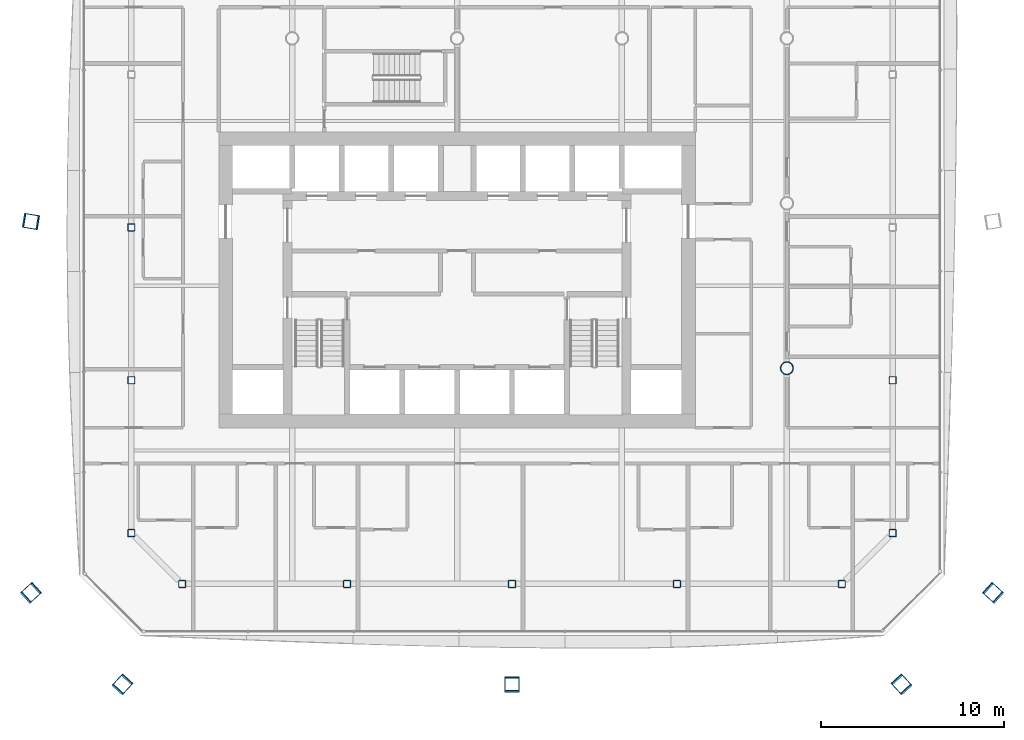
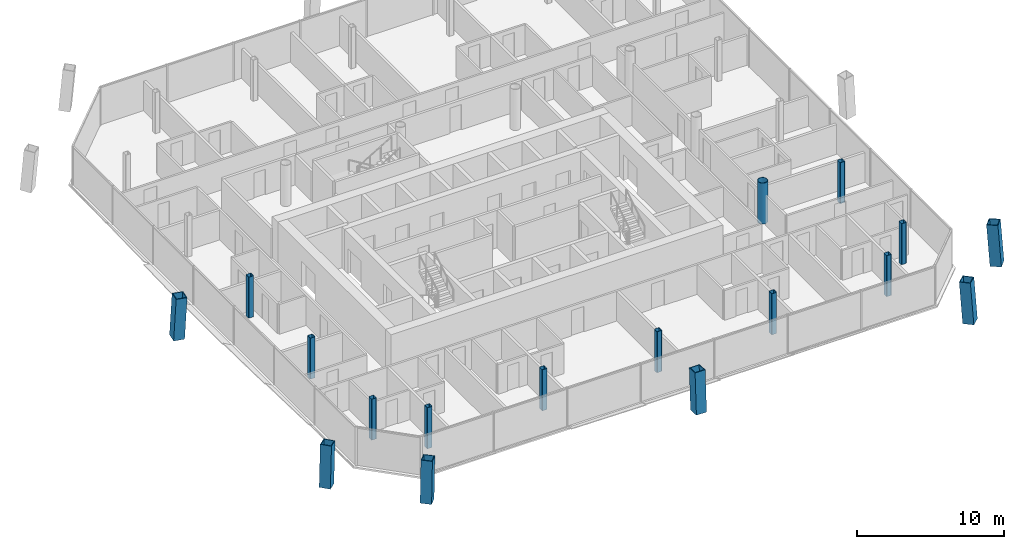
# One storey, part 1 of 22: 17 columns.
"""IFC4 building model written with IfcOpenShell, lengths in metres."""

from ifc_helpers import new_model, si_unit, direction, frame, origin, origin_2d, place, context, subcontext, project, spatial, hollow_rectangle, hollow_circle, extrude, material, material_profile, profile_set, type_object, element, save


model = new_model("IFC4")

# Units and contexts
model_context = context("Model", 3, precision=1e-05, world=origin(), true_north=direction((0.0, 1.0)))
body_context = subcontext(model_context, "Body", "Model", "MODEL_VIEW")
ifc_project = project(units=[si_unit("LENGTHUNIT", "METRE"), si_unit("AREAUNIT", "SQUARE_METRE"), si_unit("VOLUMEUNIT", "CUBIC_METRE"), si_unit("PLANEANGLEUNIT", "RADIAN"), si_unit("MASSUNIT", "GRAM", prefix="KILO")], contexts=[model_context])

# Site, building, storey
site_placement = place(None, origin())
site = spatial("IfcSite", under=ifc_project, at=site_placement, CompositionType="ELEMENT")
building_placement = place(site_placement, origin())
building = spatial("IfcBuilding", under=site, at=building_placement, Name="Tskaro Facet Tower", CompositionType="ELEMENT")
storey_placement = place(building_placement, frame((0.0, 0.0, 124.89990234375)))
storey = spatial("IfcBuildingStorey", under=building, at=storey_placement, Name="L29", CompositionType="ELEMENT", Elevation=124.89990234375)

# Columns
ifc_material_1 = material(Name="Steel S460M", Category="steel")
ifc_material_profile_1 = material_profile(ifc_material_1, hollow_rectangle(XDim=0.800048828125, YDim=0.800048828125, WallThickness=0.050048828125, at=origin_2d()), Name="BOX 800x800x50")
ifc_profile_set_1 = profile_set([ifc_material_profile_1], Name="Steel S460M")
column_type_1 = type_object("IfcColumnType", Name="BOX 800x800x50 mega column", PredefinedType="COLUMN", material=ifc_profile_set_1)
column_1_placement = place(storey_placement, frame((-18.283935546875, -26.283935546875, 0.0), z_axis=(0.048698464449, 0.053353464728, 0.997387521158), x_axis=(-0.73859280104, 0.674151818399, 0.0)))
element("IfcColumn", 1, at=column_1_placement, inside=storey, type_object=column_type_1, Name="BOX 800x800x50 MC01/3", PredefinedType="COLUMN", context=body_context, shape_type="SweptSolid", body=[
    extrude(hollow_rectangle(XDim=0.800048828125, YDim=0.800048828125, WallThickness=0.050048828125, at=origin_2d()), origin(), (0.0, 0.0, 1.0), 3.408935546875),
])
column_2_placement = place(storey_placement, frame((3.0, -26.283935546875, 0.0), z_axis=(0.0, 0.053416842427, 0.998572301311), x_axis=(-1.0, 0.0, 0.0)))
element("IfcColumn", 2, at=column_2_placement, inside=storey, type_object=column_type_1, Name="BOX 800x800x50 MC02/3", PredefinedType="COLUMN", context=body_context, shape_type="SweptSolid", body=[
    extrude(hollow_rectangle(XDim=0.800048828125, YDim=0.800048828125, WallThickness=0.050048828125, at=origin_2d()), origin(), (0.0, 0.0, 1.0), 3.405029296875),
])
for number, where, z_axis, x_axis, name in (
    (3, (24.283935546875, -26.283935546875, 0.0), (-0.048698464449, 0.053353464728, 0.997387521158), (-0.73859280104, -0.674151818399, 0.0), "BOX 800x800x50 MC03/3"),
    (4, (29.283935546875, -21.283935546875, 0.0), (-0.053353464728, 0.048698464449, 0.997387521158), (-0.674151818399, -0.73859280104, 0.0), "BOX 800x800x50 MC04/3"),
):
    element("IfcColumn", number, at=place(storey_placement, frame(where, z_axis=z_axis, x_axis=x_axis)), inside=storey, type_object=column_type_1, Name=name, PredefinedType="COLUMN", context=body_context, shape_type="SweptSolid", body=[
        extrude(hollow_rectangle(XDim=0.800048828125, YDim=0.800048828125, WallThickness=0.050048828125, at=origin_2d()), origin(), (0.0, 0.0, 1.0), 3.408935546875),
    ])
column_3_placement = place(storey_placement, frame((-23.283935546875, -0.986083984375, 0.0), z_axis=(0.053414765233, -0.008818813589, 0.998533470336), x_axis=(0.162895476227, 0.986643331617, 0.0)))
element("IfcColumn", 5, at=column_3_placement, inside=storey, type_object=column_type_1, Name="BOX 800x800x50 MC11/3", PredefinedType="COLUMN", context=body_context, shape_type="SweptSolid", body=[
    extrude(hollow_rectangle(XDim=0.800048828125, YDim=0.800048828125, WallThickness=0.050048828125, at=origin_2d()), origin(), (0.0, 0.0, 1.0), 3.405029296875),
])
column_4_placement = place(storey_placement, frame((-23.283935546875, -21.283935546875, 0.0), z_axis=(0.053353464728, 0.048698464449, 0.997387521158), x_axis=(-0.674151818399, 0.73859280104, 0.0)))
element("IfcColumn", 6, at=column_4_placement, inside=storey, type_object=column_type_1, Name="BOX 800x800x50 MC12/3", PredefinedType="COLUMN", context=body_context, shape_type="SweptSolid", body=[
    extrude(hollow_rectangle(XDim=0.800048828125, YDim=0.800048828125, WallThickness=0.050048828125, at=origin_2d()), origin(), (0.0, 0.0, 1.0), 3.408935546875),
])
ifc_material_2 = material(Name="Steel S355J2H", Category="steel")
ifc_material_profile_2 = material_profile(ifc_material_2, hollow_circle(Radius=0.35546875, WallThickness=0.031982421875, at=origin_2d()), Name="CHS 711x32")
ifc_profile_set_2 = profile_set([ifc_material_profile_2], Name="Steel S355J2H")
column_type_2 = type_object("IfcColumnType", Name="CHS 711x32 interior column", PredefinedType="COLUMN", material=ifc_profile_set_2)
column_5_placement = place(storey_placement, frame((18.0, -9.0, 0.0), z_axis=(0.0, 0.0, 1.0), x_axis=(1.0, 0.0, 0.0)))
element("IfcColumn", 7, at=column_5_placement, inside=storey, type_object=column_type_2, Name="CHS 711x32 C6C/3", PredefinedType="COLUMN", context=body_context, shape_type="SweptSolid", body=[
    extrude(hollow_circle(Radius=0.35546875, WallThickness=0.031982421875, at=origin_2d()), origin(), (0.0, 0.0, 1.0), 3.400146484375),
])
ifc_material_profile_3 = material_profile(ifc_material_2, hollow_rectangle(XDim=0.39990234375, YDim=0.39990234375, WallThickness=0.02001953125, InnerFilletRadius=0.030029296875, OuterFilletRadius=0.050048828125, at=origin_2d()), Name="SHS 400x400x20")
ifc_profile_set_3 = profile_set([ifc_material_profile_3], Name="Steel S355J2H")
column_type_3 = type_object("IfcColumnType", Name="SHS 400x400x20 ring column", PredefinedType="COLUMN", material=ifc_profile_set_3)
for number, where, z_axis, x_axis, name in (
    (8, (-14.9990234375, -20.77392578125, 0.0), (0.0, 0.0, 1.0), (1.0, 0.0, 0.0), "SHS 400x400x20 RS-1/3"),
    (9, (-6.0, -20.77392578125, 0.0), (0.0, 0.0, 1.0), (1.0, 0.0, 0.0), "SHS 400x400x20 RS-2/3"),
    (10, (3.0, -20.77392578125, 0.0), (0.0, 0.0, 1.0), (1.0, 0.0, 0.0), "SHS 400x400x20 RS-3/3"),
    (11, (12.0, -20.77392578125, 0.0), (0.0, 0.0, 1.0), (1.0, 0.0, 0.0), "SHS 400x400x20 RS-4/3"),
    (12, (20.9990234375, -20.77392578125, 0.0), (0.0, 0.0, 1.0), (1.0, 0.0, 0.0), "SHS 400x400x20 RSE-1/3"),
    (13, (23.77392578125, -17.9990234375, 0.0), (0.0, 0.0, 1.0), (1.0, 0.0, 0.0), "SHS 400x400x20 RE-1/3"),
    (14, (23.77392578125, -9.656982421875, 0.0), (0.0, 0.0, 1.0), (1.0, 0.0, 0.0), "SHS 400x400x20 RE-2/3"),
    (15, (-17.77392578125, -1.31494140625, 0.0), (0.0, 0.0, 1.0), (1.0, 0.0, 0.0), "SHS 400x400x20 RW-3/3"),
    (16, (-17.77392578125, -9.656982421875, 0.0), (0.0, 0.0, 1.0), (1.0, 0.0, 0.0), "SHS 400x400x20 RW-4/3"),
    (17, (-17.77392578125, -17.9990234375, 0.0), (0.0, 0.0, 1.0), (1.0, 0.0, 0.0), "SHS 400x400x20 RSW-1/3"),
):
    element("IfcColumn", number, at=place(storey_placement, frame(where, z_axis=z_axis, x_axis=x_axis)), inside=storey, type_object=column_type_3, Name=name, PredefinedType="COLUMN", context=body_context, shape_type="SweptSolid", body=[
        extrude(hollow_rectangle(XDim=0.39990234375, YDim=0.39990234375, WallThickness=0.02001953125, InnerFilletRadius=0.030029296875, OuterFilletRadius=0.050048828125, at=origin_2d()), origin(), (0.0, 0.0, 1.0), 3.400146484375),
    ])

save(model, "model.ifc")
